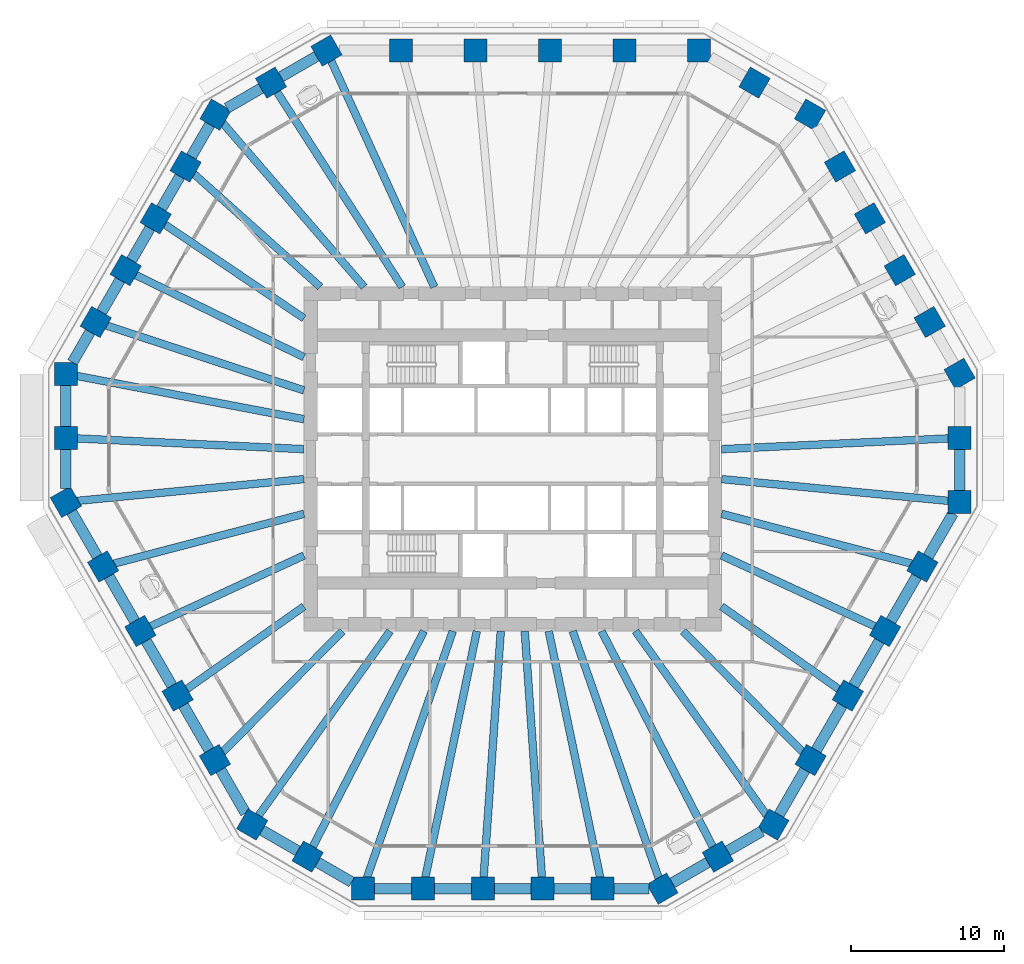
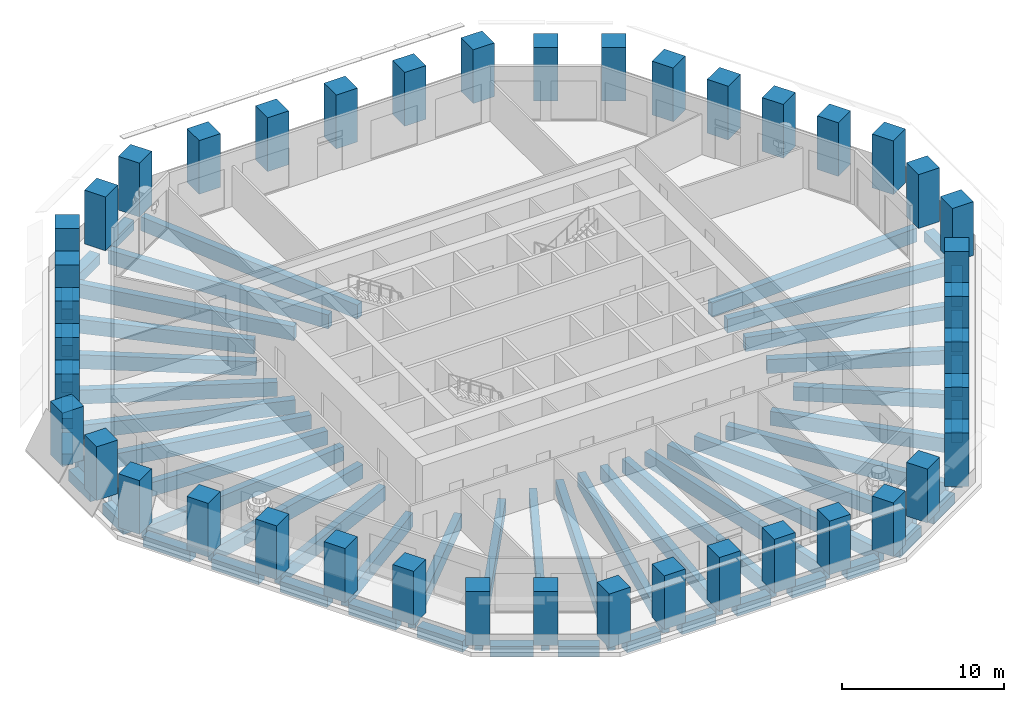
# One storey, part 1 of 12: 59 beams, 42 columns.
"""IFC4 building model written with IfcOpenShell, lengths in metres."""

from ifc_helpers import new_model, si_unit, direction, frame, origin, origin_2d, place, context, subcontext, project, spatial, rectangle, extrude, material, material_profile, profile_set, type_object, element, save


model = new_model("IFC4")

# Units and contexts
model_context = context("Model", 3, precision=1e-05, world=origin(), true_north=direction((0.0, 1.0)))
body_context = subcontext(model_context, "Body", "Model", "MODEL_VIEW")
ifc_project = project(units=[si_unit("LENGTHUNIT", "METRE"), si_unit("AREAUNIT", "SQUARE_METRE"), si_unit("VOLUMEUNIT", "CUBIC_METRE"), si_unit("PLANEANGLEUNIT", "RADIAN"), si_unit("MASSUNIT", "GRAM", prefix="KILO")], contexts=[model_context])

# Site, building, storey
site_placement = place(None, origin())
site = spatial("IfcSite", under=ifc_project, at=site_placement, CompositionType="ELEMENT")
building_placement = place(site_placement, origin())
building = spatial("IfcBuilding", under=site, at=building_placement, Name="Frailejon Research Tower", CompositionType="ELEMENT")
storey_placement = place(building_placement, frame((0.0, 0.0, 63.0)))
storey = spatial("IfcBuildingStorey", under=building, at=storey_placement, Name="L14", CompositionType="ELEMENT", Elevation=63.0)

# Columns
ifc_material_1 = material(Name="Concrete C70/85", Category="concrete")
ifc_material_profile_1 = material_profile(ifc_material_1, rectangle(XDim=1.5, YDim=1.5, at=origin_2d()), Name="Column 1500")
ifc_profile_set_1 = profile_set([ifc_material_profile_1], Name="Concrete C70/85")
column_type = type_object("IfcColumnType", Name="Column 1500", PredefinedType="COLUMN", material=ifc_profile_set_1)
for number, where, z_axis, x_axis, name in (
    (1, (29.211181640625, -2.8046875, 0.0), (0.0, 0.0, 1.0), (0.0, 1.0, 0.0), "Column C01"),
    (2, (29.211181640625, 1.3828125, 0.0), (0.0, 0.0, 1.0), (0.0, 1.0, 0.0), "Column C02"),
    (3, (29.211181640625, 5.5703125, 0.0), (0.0, 0.0, 1.0), (-0.5, 0.866025403784, 0.0), "Column C03"),
    (4, (27.2548828125, 8.958740234375, 0.0), (0.0, 0.0, 1.0), (-0.5, 0.866025403784, 0.0), "Column C04"),
    (5, (25.298583984375, 12.34716796875, 0.0), (0.0, 0.0, 1.0), (-0.5, 0.866025403784, 0.0), "Column C05"),
    (6, (23.34228515625, 15.735595703125, 0.0), (0.0, 0.0, 1.0), (-0.5, 0.866025403784, 0.0), "Column C06"),
    (7, (21.385986328125, 19.1240234375, 0.0), (0.0, 0.0, 1.0), (-0.5, 0.866025403784, 0.0), "Column C07"),
    (8, (19.4296875, 22.512451171875, 0.0), (0.0, 0.0, 1.0), (-0.866025403784, 0.5, 0.0), "Column C08"),
    (9, (15.802978515625, 24.606201171875, 0.0), (0.0, 0.0, 1.0), (-0.866025403784, 0.5, 0.0), "Column C09"),
    (10, (12.176513671875, 26.699951171875, 0.0), (0.0, 0.0, 1.0), (-1.0, 0.0, 0.0), "Column C10"),
    (11, (7.305908203125, 26.699951171875, 0.0), (0.0, 0.0, 1.0), (-1.0, 0.0, 0.0), "Column C11"),
):
    element("IfcColumn", number, at=place(storey_placement, frame(where, z_axis=z_axis, x_axis=x_axis)), inside=storey, type_object=column_type, Name=name, PredefinedType="COLUMN", context=body_context, shape_type="SweptSolid", body=[
        extrude(rectangle(XDim=1.5, YDim=1.5, at=origin_2d()), origin(), (0.0, 0.0, 1.0), 4.0400390625),
    ])
for number, where, z_axis, x_axis, name in (
    (12, (2.435302734375, 26.699951171875, 0.0), (0.0, 0.0, 1.0), (-1.0, 0.0, 0.0), "Column C12"),
    (13, (-2.435302734375, 26.699951171875, 0.0), (0.0, 0.0, 1.0), (-1.0, 0.0, 0.0), "Column C13"),
):
    element("IfcColumn", number, at=place(storey_placement, frame(where, z_axis=z_axis, x_axis=x_axis)), inside=storey, type_object=column_type, Name=name, PredefinedType="COLUMN", context=body_context, shape_type="SweptSolid", body=[
        extrude(rectangle(XDim=1.5, YDim=1.5, at=origin_2d()), origin(), (0.0, 0.0, 1.0), 4.050048828125),
    ])
for number, where, z_axis, x_axis, name in (
    (14, (-7.305908203125, 26.699951171875, 0.0), (0.0, 0.0, 1.0), (-1.0, 0.0, 0.0), "Column C14"),
    (15, (-12.176513671875, 26.699951171875, 0.0), (0.0, 0.0, 1.0), (-0.866025403784, -0.5, 0.0), "Column C15"),
    (16, (-15.802978515625, 24.606201171875, 0.0), (0.0, 0.0, 1.0), (-0.866025403784, -0.5, 0.0), "Column C16"),
    (17, (-19.4296875, 22.512451171875, 0.0), (0.0, 0.0, 1.0), (-0.5, -0.866025403784, 0.0), "Column C17"),
    (18, (-21.385986328125, 19.1240234375, 0.0), (0.0, 0.0, 1.0), (-0.5, -0.866025403784, 0.0), "Column C18"),
    (19, (-23.34228515625, 15.735595703125, 0.0), (0.0, 0.0, 1.0), (-0.5, -0.866025403784, 0.0), "Column C19"),
    (20, (-25.298583984375, 12.34716796875, 0.0), (0.0, 0.0, 1.0), (-0.5, -0.866025403784, 0.0), "Column C20"),
    (21, (-27.2548828125, 8.958740234375, 0.0), (0.0, 0.0, 1.0), (-0.5, -0.866025403784, 0.0), "Column C21"),
    (22, (-29.211181640625, 5.5703125, 0.0), (0.0, 0.0, 1.0), (0.0, -1.0, 0.0), "Column C22"),
    (23, (-29.211181640625, 1.3828125, 0.0), (0.0, 0.0, 1.0), (0.0, -1.0, 0.0), "Column C23"),
    (24, (-29.211181640625, -2.8046875, 0.0), (0.0, 0.0, 1.0), (0.5, -0.866025403784, 0.0), "Column C24"),
    (25, (-26.77587890625, -7.02294921875, 0.0), (0.0, 0.0, 1.0), (0.5, -0.866025403784, 0.0), "Column C25"),
):
    element("IfcColumn", number, at=place(storey_placement, frame(where, z_axis=z_axis, x_axis=x_axis)), inside=storey, type_object=column_type, Name=name, PredefinedType="COLUMN", context=body_context, shape_type="SweptSolid", body=[
        extrude(rectangle(XDim=1.5, YDim=1.5, at=origin_2d()), origin(), (0.0, 0.0, 1.0), 4.0400390625),
    ])
for number, where, z_axis, x_axis, name in (
    (26, (-24.340576171875, -11.240966796875, 0.0), (0.0, 0.0, 1.0), (0.5, -0.866025403784, 0.0), "Column C26"),
    (27, (-21.9052734375, -15.458984375, 0.0), (0.0, 0.0, 1.0), (0.5, -0.866025403784, 0.0), "Column C27"),
):
    element("IfcColumn", number, at=place(storey_placement, frame(where, z_axis=z_axis, x_axis=x_axis)), inside=storey, type_object=column_type, Name=name, PredefinedType="COLUMN", context=body_context, shape_type="SweptSolid", body=[
        extrude(rectangle(XDim=1.5, YDim=1.5, at=origin_2d()), origin(), (0.0, 0.0, 1.0), 4.050048828125),
    ])
for number, where, z_axis, x_axis, name in (
    (28, (-19.469970703125, -19.677001953125, 0.0), (0.0, 0.0, 1.0), (0.5, -0.866025403784, 0.0), "Column C28"),
    (29, (-17.03466796875, -23.895263671875, 0.0), (0.0, 0.0, 1.0), (0.866025403784, -0.5, 0.0), "Column C29"),
    (30, (-13.408203125, -25.989013671875, 0.0), (0.0, 0.0, 1.0), (0.866025403784, -0.5, 0.0), "Column C30"),
    (31, (-9.781494140625, -28.082763671875, 0.0), (0.0, 0.0, 1.0), (1.0, 0.0, 0.0), "Column C31"),
    (32, (-5.868896484375, -28.082763671875, 0.0), (0.0, 0.0, 1.0), (1.0, 0.0, 0.0), "Column C32"),
    (33, (-1.956298828125, -28.082763671875, 0.0), (0.0, 0.0, 1.0), (1.0, 0.0, 0.0), "Column C33"),
    (34, (1.956298828125, -28.082763671875, 0.0), (0.0, 0.0, 1.0), (1.0, 0.0, 0.0), "Column C34"),
    (35, (5.868896484375, -28.082763671875, 0.0), (0.0, 0.0, 1.0), (1.0, 0.0, 0.0), "Column C35"),
    (36, (9.781494140625, -28.082763671875, 0.0), (0.0, 0.0, 1.0), (0.866025403784, 0.5, 0.0), "Column C36"),
    (37, (13.408203125, -25.989013671875, 0.0), (0.0, 0.0, 1.0), (0.866025403784, 0.5, 0.0), "Column C37"),
    (38, (17.03466796875, -23.895263671875, 0.0), (0.0, 0.0, 1.0), (0.5, 0.866025403784, 0.0), "Column C38"),
    (39, (19.469970703125, -19.677001953125, 0.0), (0.0, 0.0, 1.0), (0.5, 0.866025403784, 0.0), "Column C39"),
):
    element("IfcColumn", number, at=place(storey_placement, frame(where, z_axis=z_axis, x_axis=x_axis)), inside=storey, type_object=column_type, Name=name, PredefinedType="COLUMN", context=body_context, shape_type="SweptSolid", body=[
        extrude(rectangle(XDim=1.5, YDim=1.5, at=origin_2d()), origin(), (0.0, 0.0, 1.0), 4.0400390625),
    ])
for number, where, z_axis, x_axis, name in (
    (40, (21.9052734375, -15.458984375, 0.0), (0.0, 0.0, 1.0), (0.5, 0.866025403784, 0.0), "Column C40"),
    (41, (24.340576171875, -11.240966796875, 0.0), (0.0, 0.0, 1.0), (0.5, 0.866025403784, 0.0), "Column C41"),
):
    element("IfcColumn", number, at=place(storey_placement, frame(where, z_axis=z_axis, x_axis=x_axis)), inside=storey, type_object=column_type, Name=name, PredefinedType="COLUMN", context=body_context, shape_type="SweptSolid", body=[
        extrude(rectangle(XDim=1.5, YDim=1.5, at=origin_2d()), origin(), (0.0, 0.0, 1.0), 4.050048828125),
    ])
column_placement = place(storey_placement, frame((26.77587890625, -7.02294921875, 0.0), z_axis=(0.0, 0.0, 1.0), x_axis=(0.5, 0.866025403784, 0.0)))
element("IfcColumn", 42, at=column_placement, inside=storey, type_object=column_type, Name="Column C42", PredefinedType="COLUMN", context=body_context, shape_type="SweptSolid", body=[
    extrude(rectangle(XDim=1.5, YDim=1.5, at=origin_2d()), origin(), (0.0, 0.0, 1.0), 4.0400390625),
])

# Beams
ifc_material_2 = material(Name="Concrete C60/75", Category="concrete")
ifc_material_profile_2 = material_profile(ifc_material_2, rectangle(XDim=0.5, YDim=1.050048828125, at=origin_2d()), Name="Girder 500x1050")
ifc_profile_set_2 = profile_set([ifc_material_profile_2], Name="Concrete C60/75")
beam_type_1 = type_object("IfcBeamType", Name="Girder 500x1050", PredefinedType="BEAM", material=ifc_profile_set_2)
beam_1_placement = place(storey_placement, frame((28.6103515625, -2.7470703125, -0.824951171875), z_axis=(-0.995421580291, 0.095581784302, 0.0), x_axis=(-0.095581784302, -0.995421580291, 0.0)))
element("IfcBeam", 43, at=beam_1_placement, inside=storey, type_object=beam_type_1, Name="Girder 500x1050", PredefinedType="BEAM", context=body_context, shape_type="SweptSolid", body=[
    extrude(rectangle(XDim=0.5, YDim=1.050048828125, at=origin_2d()), origin(), (0.0, 0.0, 1.0), 15.029296875),
])
beam_2_placement = place(storey_placement, frame((28.61083984375, 1.3544921875, -0.824951171875), z_axis=(-0.998881338401, -0.047287120801, 0.0), x_axis=(0.047287120801, -0.998881338401, 0.0)))
element("IfcBeam", 44, at=beam_2_placement, inside=storey, type_object=beam_type_1, Name="Girder 500x1050", PredefinedType="BEAM", context=body_context, shape_type="SweptSolid", body=[
    extrude(rectangle(XDim=0.5, YDim=1.050048828125, at=origin_2d()), origin(), (0.0, 0.0, 1.0), 14.977783203125),
])
beam_3_placement = place(storey_placement, frame((-11.926025390625, 26.15087890625, -0.824951171875), z_axis=(0.414930273519, -0.909853212401, 0.0), x_axis=(0.909853212401, 0.414930273519, 0.0)))
element("IfcBeam", 45, at=beam_3_placement, inside=storey, type_object=beam_type_1, Name="Girder 500x1050", PredefinedType="BEAM", context=body_context, shape_type="SweptSolid", body=[
    extrude(rectangle(XDim=0.5, YDim=1.050048828125, at=origin_2d()), origin(), (0.0, 0.0, 1.0), 16.377197265625),
])
beam_4_placement = place(storey_placement, frame((-15.478515625, 24.1005859375, -0.824951171875), z_axis=(0.540402055677, -0.841406927842, 0.0), x_axis=(0.841406927842, 0.540402055677, 0.0)))
element("IfcBeam", 46, at=beam_4_placement, inside=storey, type_object=beam_type_1, Name="Girder 500x1050", PredefinedType="BEAM", context=body_context, shape_type="SweptSolid", body=[
    extrude(rectangle(XDim=0.5, YDim=1.050048828125, at=origin_2d()), origin(), (0.0, 0.0, 1.0), 15.272705078125),
])
beam_5_placement = place(storey_placement, frame((-19.0087890625, 22.024658203125, -0.824951171875), z_axis=(0.65337554657, -0.757033945833, 0.0), x_axis=(0.757033945833, 0.65337554657, 0.0)))
element("IfcBeam", 47, at=beam_5_placement, inside=storey, type_object=beam_type_1, Name="Girder 500x1050", PredefinedType="BEAM", context=body_context, shape_type="SweptSolid", body=[
    extrude(rectangle(XDim=0.5, YDim=1.050048828125, at=origin_2d()), origin(), (0.0, 0.0, 1.0), 14.232666015625),
])
beam_6_placement = place(storey_placement, frame((-20.926513671875, 18.713134765625, -0.824951171875), z_axis=(0.745431765293, -0.666581940419, 0.0), x_axis=(0.666581940419, 0.745431765293, 0.0)))
element("IfcBeam", 48, at=beam_6_placement, inside=storey, type_object=beam_type_1, Name="Girder 500x1050", PredefinedType="BEAM", context=body_context, shape_type="SweptSolid", body=[
    extrude(rectangle(XDim=0.5, YDim=1.050048828125, at=origin_2d()), origin(), (0.0, 0.0, 1.0), 11.196044921875),
])
beam_7_placement = place(storey_placement, frame((-22.84326171875, 15.399169921875, -0.824951171875), z_axis=(0.82919365434, -0.558961433019, 0.0), x_axis=(0.558961433019, 0.82919365434, 0.0)))
element("IfcBeam", 49, at=beam_7_placement, inside=storey, type_object=beam_type_1, Name="Girder 500x1050", PredefinedType="BEAM", context=body_context, shape_type="SweptSolid", body=[
    extrude(rectangle(XDim=0.5, YDim=1.050048828125, at=origin_2d()), origin(), (0.0, 0.0, 1.0), 11.087158203125),
])
beam_8_placement = place(storey_placement, frame((-24.7578125, 12.083251953125, -0.824951171875), z_axis=(0.898683953103, -0.43859679939, 0.0), x_axis=(0.43859679939, 0.898683953103, 0.0)))
element("IfcBeam", 50, at=beam_8_placement, inside=storey, type_object=beam_type_1, Name="Girder 500x1050", PredefinedType="BEAM", context=body_context, shape_type="SweptSolid", body=[
    extrude(rectangle(XDim=0.5, YDim=1.050048828125, at=origin_2d()), origin(), (0.0, 0.0, 1.0), 12.360107421875),
])
beam_9_placement = place(storey_placement, frame((-26.66943359375, 8.766357421875, -0.824951171875), z_axis=(0.949995064088, -0.312264916712, 0.0), x_axis=(0.312264916712, 0.949995064088, 0.0)))
element("IfcBeam", 51, at=beam_9_placement, inside=storey, type_object=beam_type_1, Name="Girder 500x1050", PredefinedType="BEAM", context=body_context, shape_type="SweptSolid", body=[
    extrude(rectangle(XDim=0.5, YDim=1.050048828125, at=origin_2d()), origin(), (0.0, 0.0, 1.0), 13.704833984375),
])
beam_10_placement = place(storey_placement, frame((-28.6083984375, 5.455322265625, -0.824951171875), z_axis=(0.982298691435, -0.187321330353, 0.0), x_axis=(0.187321330353, 0.982298691435, 0.0)))
element("IfcBeam", 52, at=beam_10_placement, inside=storey, type_object=beam_type_1, Name="Girder 500x1050", PredefinedType="BEAM", context=body_context, shape_type="SweptSolid", body=[
    extrude(rectangle(XDim=0.5, YDim=1.050048828125, at=origin_2d()), origin(), (0.0, 0.0, 1.0), 15.22802734375),
])
beam_11_placement = place(storey_placement, frame((-28.61083984375, 1.3544921875, -0.824951171875), z_axis=(0.998881338401, -0.047287120801, 0.0), x_axis=(0.047287120801, 0.998881338401, 0.0)))
element("IfcBeam", 53, at=beam_11_placement, inside=storey, type_object=beam_type_1, Name="Girder 500x1050", PredefinedType="BEAM", context=body_context, shape_type="SweptSolid", body=[
    extrude(rectangle(XDim=0.5, YDim=1.050048828125, at=origin_2d()), origin(), (0.0, 0.0, 1.0), 14.977783203125),
])
beam_12_placement = place(storey_placement, frame((-28.539794921875, -2.740478515625, -0.824951171875), z_axis=(0.995420415268, 0.09559391648, 0.0), x_axis=(-0.09559391648, 0.995420415268, 0.0)))
element("IfcBeam", 54, at=beam_12_placement, inside=storey, type_object=beam_type_1, Name="Girder 500x1050", PredefinedType="BEAM", context=body_context, shape_type="SweptSolid", body=[
    extrude(rectangle(XDim=0.5, YDim=1.050048828125, at=origin_2d()), origin(), (0.0, 0.0, 1.0), 14.95849609375),
])
beam_13_placement = place(storey_placement, frame((-26.168701171875, -6.86376953125, -0.824951171875), z_axis=(0.96727825833, 0.253717896416, 0.0), x_axis=(-0.253717896416, 0.96727825833, 0.0)))
element("IfcBeam", 55, at=beam_13_placement, inside=storey, type_object=beam_type_1, Name="Girder 500x1050", PredefinedType="BEAM", context=body_context, shape_type="SweptSolid", body=[
    extrude(rectangle(XDim=0.5, YDim=1.050048828125, at=origin_2d()), origin(), (0.0, 0.0, 1.0), 12.9423828125),
])
beam_14_placement = place(storey_placement, frame((-23.79296875, -10.988037109375, -0.824951171875), z_axis=(0.907868543598, 0.419254943375, 0.0), x_axis=(-0.419254943375, 0.907868543598, 0.0)))
element("IfcBeam", 56, at=beam_14_placement, inside=storey, type_object=beam_type_1, Name="Girder 500x1050", PredefinedType="BEAM", context=body_context, shape_type="SweptSolid", body=[
    extrude(rectangle(XDim=0.5, YDim=1.050048828125, at=origin_2d()), origin(), (0.0, 0.0, 1.0), 11.17236328125),
])
beam_15_placement = place(storey_placement, frame((-21.412353515625, -15.111083984375, -0.824951171875), z_axis=(0.817034800415, 0.576588358286, 0.0), x_axis=(-0.576588358286, 0.817034800415, 0.0)))
element("IfcBeam", 57, at=beam_15_placement, inside=storey, type_object=beam_type_1, Name="Girder 500x1050", PredefinedType="BEAM", context=body_context, shape_type="SweptSolid", body=[
    extrude(rectangle(XDim=0.5, YDim=1.050048828125, at=origin_2d()), origin(), (0.0, 0.0, 1.0), 9.500732421875),
])
beam_16_placement = place(storey_placement, frame((-19.028564453125, -19.23095703125, -0.824951171875), z_axis=(0.703356786979, 0.710836992714, 0.0), x_axis=(-0.710836992714, 0.703356786979, 0.0)))
element("IfcBeam", 58, at=beam_16_placement, inside=storey, type_object=beam_type_1, Name="Girder 500x1050", PredefinedType="BEAM", context=body_context, shape_type="SweptSolid", body=[
    extrude(rectangle(XDim=0.5, YDim=1.050048828125, at=origin_2d()), origin(), (0.0, 0.0, 1.0), 11.2275390625),
])
beam_17_placement = place(storey_placement, frame((-16.684326171875, -23.40380859375, -0.824951171875), z_axis=(0.580484429188, 0.814271347568, 0.0), x_axis=(-0.814271347568, 0.580484429188, 0.0)))
element("IfcBeam", 59, at=beam_17_placement, inside=storey, type_object=beam_type_1, Name="Girder 500x1050", PredefinedType="BEAM", context=body_context, shape_type="SweptSolid", body=[
    extrude(rectangle(XDim=0.5, YDim=1.050048828125, at=origin_2d()), origin(), (0.0, 0.0, 1.0), 14.926025390625),
])
beam_18_placement = place(storey_placement, frame((-13.132568359375, -25.455078125, -0.824951171875), z_axis=(0.458492734249, 0.888698156092, 0.0), x_axis=(-0.888698156092, 0.458492734249, 0.0)))
element("IfcBeam", 60, at=beam_18_placement, inside=storey, type_object=beam_type_1, Name="Girder 500x1050", PredefinedType="BEAM", context=body_context, shape_type="SweptSolid", body=[
    extrude(rectangle(XDim=0.5, YDim=1.050048828125, at=origin_2d()), origin(), (0.0, 0.0, 1.0), 15.984130859375),
])
beam_19_placement = place(storey_placement, frame((-9.569580078125, -27.474609375, -0.824951171875), z_axis=(0.328924592456, 0.94435618941, 0.0), x_axis=(-0.94435618941, 0.328924592456, 0.0)))
element("IfcBeam", 61, at=beam_19_placement, inside=storey, type_object=beam_type_1, Name="Girder 500x1050", PredefinedType="BEAM", context=body_context, shape_type="SweptSolid", body=[
    extrude(rectangle(XDim=0.5, YDim=1.050048828125, at=origin_2d()), origin(), (0.0, 0.0, 1.0), 17.1806640625),
])
beam_20_placement = place(storey_placement, frame((-5.742919921875, -27.4794921875, -0.824951171875), z_axis=(0.204572805504, 0.978851350946, 0.0), x_axis=(-0.978851350946, 0.204572805504, 0.0)))
element("IfcBeam", 62, at=beam_20_placement, inside=storey, type_object=beam_type_1, Name="Girder 500x1050", PredefinedType="BEAM", context=body_context, shape_type="SweptSolid", body=[
    extrude(rectangle(XDim=0.5, YDim=1.050048828125, at=origin_2d()), origin(), (0.0, 0.0, 1.0), 16.580078125),
])
for number, where, z_axis, x_axis, name in (
    (63, (-1.91455078125, -27.482421875, -0.824951171875), (0.069498257756, 0.997582072899, 0.0), (-0.997582072899, 0.069498257756, 0.0), "Girder 500x1050"),
    (64, (1.91455078125, -27.482421875, -0.824951171875), (-0.069498257756, 0.997582072899, 0.0), (-0.997582072899, -0.069498257756, 0.0), "Girder 500x1050"),
):
    element("IfcBeam", number, at=place(storey_placement, frame(where, z_axis=z_axis, x_axis=x_axis)), inside=storey, type_object=beam_type_1, Name=name, PredefinedType="BEAM", context=body_context, shape_type="SweptSolid", body=[
        extrude(rectangle(XDim=0.5, YDim=1.050048828125, at=origin_2d()), origin(), (0.0, 0.0, 1.0), 16.271728515625),
    ])
beam_21_placement = place(storey_placement, frame((5.742919921875, -27.4794921875, -0.824951171875), z_axis=(-0.204572805504, 0.978851350946, 0.0), x_axis=(-0.978851350946, -0.204572805504, 0.0)))
element("IfcBeam", 65, at=beam_21_placement, inside=storey, type_object=beam_type_1, Name="Girder 500x1050", PredefinedType="BEAM", context=body_context, shape_type="SweptSolid", body=[
    extrude(rectangle(XDim=0.5, YDim=1.050048828125, at=origin_2d()), origin(), (0.0, 0.0, 1.0), 16.580078125),
])
beam_22_placement = place(storey_placement, frame((9.57958984375, -27.50341796875, -0.824951171875), z_axis=(-0.328923326582, 0.94435663032, 0.0), x_axis=(-0.94435663032, -0.328923326582, 0.0)))
element("IfcBeam", 66, at=beam_22_placement, inside=storey, type_object=beam_type_1, Name="Girder 500x1050", PredefinedType="BEAM", context=body_context, shape_type="SweptSolid", body=[
    extrude(rectangle(XDim=0.5, YDim=1.050048828125, at=origin_2d()), origin(), (0.0, 0.0, 1.0), 17.211181640625),
])
beam_23_placement = place(storey_placement, frame((13.132568359375, -25.455078125, -0.824951171875), z_axis=(-0.458492734249, 0.888698156092, 0.0), x_axis=(-0.888698156092, -0.458492734249, 0.0)))
element("IfcBeam", 67, at=beam_23_placement, inside=storey, type_object=beam_type_1, Name="Girder 500x1050", PredefinedType="BEAM", context=body_context, shape_type="SweptSolid", body=[
    extrude(rectangle(XDim=0.5, YDim=1.050048828125, at=origin_2d()), origin(), (0.0, 0.0, 1.0), 15.984130859375),
])
beam_24_placement = place(storey_placement, frame((16.643310546875, -23.34619140625, -0.824951171875), z_axis=(-0.580487061992, 0.814269470667, 0.0), x_axis=(-0.814269470667, -0.580487061992, 0.0)))
element("IfcBeam", 68, at=beam_24_placement, inside=storey, type_object=beam_type_1, Name="Girder 500x1050", PredefinedType="BEAM", context=body_context, shape_type="SweptSolid", body=[
    extrude(rectangle(XDim=0.5, YDim=1.050048828125, at=origin_2d()), origin(), (0.0, 0.0, 1.0), 14.855224609375),
])
beam_25_placement = place(storey_placement, frame((19.028564453125, -19.23095703125, -0.824951171875), z_axis=(-0.703356786979, 0.710836992714, 0.0), x_axis=(-0.710836992714, -0.703356786979, 0.0)))
element("IfcBeam", 69, at=beam_25_placement, inside=storey, type_object=beam_type_1, Name="Girder 500x1050", PredefinedType="BEAM", context=body_context, shape_type="SweptSolid", body=[
    extrude(rectangle(XDim=0.5, YDim=1.050048828125, at=origin_2d()), origin(), (0.0, 0.0, 1.0), 11.2275390625),
])
beam_26_placement = place(storey_placement, frame((21.412353515625, -15.111083984375, -0.824951171875), z_axis=(-0.817034800415, 0.576588358286, 0.0), x_axis=(-0.576588358286, -0.817034800415, 0.0)))
element("IfcBeam", 70, at=beam_26_placement, inside=storey, type_object=beam_type_1, Name="Girder 500x1050", PredefinedType="BEAM", context=body_context, shape_type="SweptSolid", body=[
    extrude(rectangle(XDim=0.5, YDim=1.050048828125, at=origin_2d()), origin(), (0.0, 0.0, 1.0), 9.500732421875),
])
beam_27_placement = place(storey_placement, frame((23.79296875, -10.988037109375, -0.824951171875), z_axis=(-0.907868543598, 0.419254943375, 0.0), x_axis=(-0.419254943375, -0.907868543598, 0.0)))
element("IfcBeam", 71, at=beam_27_placement, inside=storey, type_object=beam_type_1, Name="Girder 500x1050", PredefinedType="BEAM", context=body_context, shape_type="SweptSolid", body=[
    extrude(rectangle(XDim=0.5, YDim=1.050048828125, at=origin_2d()), origin(), (0.0, 0.0, 1.0), 11.17236328125),
])
beam_28_placement = place(storey_placement, frame((26.168701171875, -6.86376953125, -0.824951171875), z_axis=(-0.96727825833, 0.253717896416, 0.0), x_axis=(-0.253717896416, -0.96727825833, 0.0)))
element("IfcBeam", 72, at=beam_28_placement, inside=storey, type_object=beam_type_1, Name="Girder 500x1050", PredefinedType="BEAM", context=body_context, shape_type="SweptSolid", body=[
    extrude(rectangle(XDim=0.5, YDim=1.050048828125, at=origin_2d()), origin(), (0.0, 0.0, 1.0), 12.9423828125),
])
ifc_material_3 = material(Name="Concrete C60/75", Category="concrete")
ifc_material_profile_3 = material_profile(ifc_material_3, rectangle(XDim=0.699951171875, YDim=0.800048828125, at=origin_2d()), Name="Spandrel 700x800")
ifc_profile_set_3 = profile_set([ifc_material_profile_3], Name="Concrete C60/75")
beam_type_2 = type_object("IfcBeamType", Name="Spandrel 700x800", PredefinedType="BEAM", material=ifc_profile_set_3)
beam_29_placement = place(storey_placement, frame((29.211181640625, -2.0546875, -0.75), z_axis=(0.0, 1.0, 0.0), x_axis=(-1.0, 0.0, 0.0)))
element("IfcBeam", 73, at=beam_29_placement, inside=storey, type_object=beam_type_2, Name="Spandrel 700x800", PredefinedType="BEAM", context=body_context, shape_type="SweptSolid", body=[
    extrude(rectangle(XDim=0.699951171875, YDim=0.800048828125, at=origin_2d()), origin(), (0.0, 0.0, 1.0), 2.6875),
])
beam_30_placement = place(storey_placement, frame((-12.825927734375, 26.324951171875, -0.75), z_axis=(-0.866043397086, -0.499968833392, 0.0), x_axis=(0.499968833392, -0.866043397086, 0.0)))
element("IfcBeam", 74, at=beam_30_placement, inside=storey, type_object=beam_type_2, Name="Spandrel 700x800", PredefinedType="BEAM", context=body_context, shape_type="SweptSolid", body=[
    extrude(rectangle(XDim=0.699951171875, YDim=0.800048828125, at=origin_2d()), origin(), (0.0, 0.0, 1.0), 2.687744140625),
])
beam_31_placement = place(storey_placement, frame((-16.45263671875, 24.231201171875, -0.75), z_axis=(-0.866008514048, -0.50002925274, 0.0), x_axis=(0.50002925274, -0.866008514048, 0.0)))
element("IfcBeam", 75, at=beam_31_placement, inside=storey, type_object=beam_type_2, Name="Spandrel 700x800", PredefinedType="BEAM", context=body_context, shape_type="SweptSolid", body=[
    extrude(rectangle(XDim=0.699951171875, YDim=0.800048828125, at=origin_2d()), origin(), (0.0, 0.0, 1.0), 2.571533203125),
])
beam_32_placement = place(storey_placement, frame((-19.8046875, 21.86279296875, -0.75), z_axis=(-0.500002762329, -0.866023808947, 0.0), x_axis=(0.866023808947, -0.500002762329, 0.0)))
element("IfcBeam", 76, at=beam_32_placement, inside=storey, type_object=beam_type_2, Name="Spandrel 700x800", PredefinedType="BEAM", context=body_context, shape_type="SweptSolid", body=[
    extrude(rectangle(XDim=0.699951171875, YDim=0.800048828125, at=origin_2d()), origin(), (0.0, 0.0, 1.0), 2.41259765625),
])
for number, where, z_axis, x_axis, name in (
    (77, (-21.760986328125, 18.474609375, -0.75), (-0.499958946799, -0.866049104564, 0.0), (0.866049104564, -0.499958946799, 0.0), "Spandrel 700x800"),
    (78, (-23.71728515625, 15.086181640625, -0.75), (-0.499958946799, -0.866049104564, 0.0), (0.866049104564, -0.499958946799, 0.0), "Spandrel 700x800"),
    (79, (-25.673583984375, 11.69775390625, -0.75), (-0.499958946799, -0.866049104564, 0.0), (0.866049104564, -0.499958946799, 0.0), "Spandrel 700x800"),
):
    element("IfcBeam", number, at=place(storey_placement, frame(where, z_axis=z_axis, x_axis=x_axis)), inside=storey, type_object=beam_type_2, Name=name, PredefinedType="BEAM", context=body_context, shape_type="SweptSolid", body=[
        extrude(rectangle(XDim=0.699951171875, YDim=0.800048828125, at=origin_2d()), origin(), (0.0, 0.0, 1.0), 2.412841796875),
    ])
beam_33_placement = place(storey_placement, frame((-27.6298828125, 8.30908203125, -0.75), z_axis=(-0.499992401796, -0.866029790565, 0.0), x_axis=(0.866029790565, -0.499992401796, 0.0)))
element("IfcBeam", 80, at=beam_33_placement, inside=storey, type_object=beam_type_2, Name="Spandrel 700x800", PredefinedType="BEAM", context=body_context, shape_type="SweptSolid", body=[
    extrude(rectangle(XDim=0.699951171875, YDim=0.800048828125, at=origin_2d()), origin(), (0.0, 0.0, 1.0), 2.29638671875),
])
beam_34_placement = place(storey_placement, frame((-29.211181640625, 4.8203125, -0.75), z_axis=(0.0, -1.0, 0.0), x_axis=(1.0, 0.0, 0.0)))
element("IfcBeam", 81, at=beam_34_placement, inside=storey, type_object=beam_type_2, Name="Spandrel 700x800", PredefinedType="BEAM", context=body_context, shape_type="SweptSolid", body=[
    extrude(rectangle(XDim=0.699951171875, YDim=0.800048828125, at=origin_2d()), origin(), (0.0, 0.0, 1.0), 2.6875),
])
beam_35_placement = place(storey_placement, frame((-29.211181640625, 0.6328125, -0.75), z_axis=(0.0, -1.0, 0.0), x_axis=(1.0, 0.0, 0.0)))
element("IfcBeam", 82, at=beam_35_placement, inside=storey, type_object=beam_type_2, Name="Spandrel 700x800", PredefinedType="BEAM", context=body_context, shape_type="SweptSolid", body=[
    extrude(rectangle(XDim=0.699951171875, YDim=0.800048828125, at=origin_2d()), origin(), (0.0, 0.0, 1.0), 2.571533203125),
])
beam_36_placement = place(storey_placement, frame((-28.836181640625, -3.454345703125, -0.75), z_axis=(0.500010874902, -0.866019125066, 0.0), x_axis=(0.866019125066, 0.500010874902, 0.0)))
element("IfcBeam", 83, at=beam_36_placement, inside=storey, type_object=beam_type_2, Name="Spandrel 700x800", PredefinedType="BEAM", context=body_context, shape_type="SweptSolid", body=[
    extrude(rectangle(XDim=0.699951171875, YDim=0.800048828125, at=origin_2d()), origin(), (0.0, 0.0, 1.0), 3.37060546875),
])
for number, where, z_axis, x_axis, name in (
    (84, (-26.40087890625, -7.67236328125, -0.75), (0.499979511309, -0.866037232612, 0.0), (0.866037232612, 0.499979511309, 0.0), "Spandrel 700x800"),
    (85, (-23.965576171875, -11.890380859375, -0.75), (0.499979511309, -0.866037232612, 0.0), (0.866037232612, 0.499979511309, 0.0), "Spandrel 700x800"),
    (86, (-21.5302734375, -16.1083984375, -0.75), (0.499979511309, -0.866037232612, 0.0), (0.866037232612, 0.499979511309, 0.0), "Spandrel 700x800"),
):
    element("IfcBeam", number, at=place(storey_placement, frame(where, z_axis=z_axis, x_axis=x_axis)), inside=storey, type_object=beam_type_2, Name=name, PredefinedType="BEAM", context=body_context, shape_type="SweptSolid", body=[
        extrude(rectangle(XDim=0.699951171875, YDim=0.800048828125, at=origin_2d()), origin(), (0.0, 0.0, 1.0), 3.370849609375),
    ])
beam_37_placement = place(storey_placement, frame((-19.094970703125, -20.32666015625, -0.75), z_axis=(0.500027630784, -0.866009450556, 0.0), x_axis=(0.866009450556, 0.500027630784, 0.0)))
element("IfcBeam", 87, at=beam_37_placement, inside=storey, type_object=beam_type_2, Name="Spandrel 700x800", PredefinedType="BEAM", context=body_context, shape_type="SweptSolid", body=[
    extrude(rectangle(XDim=0.699951171875, YDim=0.800048828125, at=origin_2d()), origin(), (0.0, 0.0, 1.0), 3.254638671875),
])
beam_38_placement = place(storey_placement, frame((-16.385009765625, -24.270263671875, -0.75), z_axis=(0.866020687897, -0.500008168067, 0.0), x_axis=(0.500008168067, 0.866020687897, 0.0)))
element("IfcBeam", 88, at=beam_38_placement, inside=storey, type_object=beam_type_2, Name="Spandrel 700x800", PredefinedType="BEAM", context=body_context, shape_type="SweptSolid", body=[
    extrude(rectangle(XDim=0.699951171875, YDim=0.800048828125, at=origin_2d()), origin(), (0.0, 0.0, 1.0), 2.6875),
])
beam_39_placement = place(storey_placement, frame((-12.758544921875, -26.364013671875, -0.75), z_axis=(0.866008514048, -0.50002925274, 0.0), x_axis=(0.50002925274, 0.866008514048, 0.0)))
element("IfcBeam", 89, at=beam_39_placement, inside=storey, type_object=beam_type_2, Name="Spandrel 700x800", PredefinedType="BEAM", context=body_context, shape_type="SweptSolid", body=[
    extrude(rectangle(XDim=0.699951171875, YDim=0.800048828125, at=origin_2d()), origin(), (0.0, 0.0, 1.0), 2.571533203125),
])
for number, where, z_axis, x_axis, name in (
    (90, (-9.031494140625, -28.082763671875, -0.75), (1.0, 0.0, 0.0), (0.0, 1.0, 0.0), "Spandrel 700x800"),
    (91, (-5.118896484375, -28.082763671875, -0.75), (1.0, 0.0, 0.0), (0.0, 1.0, 0.0), "Spandrel 700x800"),
    (92, (-1.206298828125, -28.082763671875, -0.75), (1.0, 0.0, 0.0), (0.0, 1.0, 0.0), "Spandrel 700x800"),
    (93, (2.706298828125, -28.082763671875, -0.75), (1.0, 0.0, 0.0), (0.0, 1.0, 0.0), "Spandrel 700x800"),
):
    element("IfcBeam", number, at=place(storey_placement, frame(where, z_axis=z_axis, x_axis=x_axis)), inside=storey, type_object=beam_type_2, Name=name, PredefinedType="BEAM", context=body_context, shape_type="SweptSolid", body=[
        extrude(rectangle(XDim=0.699951171875, YDim=0.800048828125, at=origin_2d()), origin(), (0.0, 0.0, 1.0), 2.41259765625),
    ])
beam_40_placement = place(storey_placement, frame((6.618896484375, -28.082763671875, -0.75), z_axis=(1.0, 0.0, 0.0), x_axis=(0.0, 1.0, 0.0)))
element("IfcBeam", 94, at=beam_40_placement, inside=storey, type_object=beam_type_2, Name="Spandrel 700x800", PredefinedType="BEAM", context=body_context, shape_type="SweptSolid", body=[
    extrude(rectangle(XDim=0.699951171875, YDim=0.800048828125, at=origin_2d()), origin(), (0.0, 0.0, 1.0), 2.296630859375),
])
beam_41_placement = place(storey_placement, frame((10.430908203125, -27.707763671875, -0.75), z_axis=(0.866043397086, 0.499968833392, 0.0), x_axis=(-0.499968833392, 0.866043397086, 0.0)))
element("IfcBeam", 95, at=beam_41_placement, inside=storey, type_object=beam_type_2, Name="Spandrel 700x800", PredefinedType="BEAM", context=body_context, shape_type="SweptSolid", body=[
    extrude(rectangle(XDim=0.699951171875, YDim=0.800048828125, at=origin_2d()), origin(), (0.0, 0.0, 1.0), 2.687744140625),
])
beam_42_placement = place(storey_placement, frame((14.0576171875, -25.614013671875, -0.75), z_axis=(0.866008514048, 0.50002925274, 0.0), x_axis=(-0.50002925274, 0.866008514048, 0.0)))
element("IfcBeam", 96, at=beam_42_placement, inside=storey, type_object=beam_type_2, Name="Spandrel 700x800", PredefinedType="BEAM", context=body_context, shape_type="SweptSolid", body=[
    extrude(rectangle(XDim=0.699951171875, YDim=0.800048828125, at=origin_2d()), origin(), (0.0, 0.0, 1.0), 2.571533203125),
])
beam_43_placement = place(storey_placement, frame((17.40966796875, -23.24560546875, -0.75), z_axis=(0.500010874902, 0.866019125066, 0.0), x_axis=(-0.866019125066, 0.500010874902, 0.0)))
element("IfcBeam", 97, at=beam_43_placement, inside=storey, type_object=beam_type_2, Name="Spandrel 700x800", PredefinedType="BEAM", context=body_context, shape_type="SweptSolid", body=[
    extrude(rectangle(XDim=0.699951171875, YDim=0.800048828125, at=origin_2d()), origin(), (0.0, 0.0, 1.0), 3.37060546875),
])
for number, where, z_axis, x_axis, name in (
    (98, (19.844970703125, -19.027587890625, -0.75), (0.499979511309, 0.866037232612, 0.0), (-0.866037232612, 0.499979511309, 0.0), "Spandrel 700x800"),
    (99, (22.2802734375, -14.8095703125, -0.75), (0.499979511309, 0.866037232612, 0.0), (-0.866037232612, 0.499979511309, 0.0), "Spandrel 700x800"),
    (100, (24.715576171875, -10.591552734375, -0.75), (0.499979511309, 0.866037232612, 0.0), (-0.866037232612, 0.499979511309, 0.0), "Spandrel 700x800"),
):
    element("IfcBeam", number, at=place(storey_placement, frame(where, z_axis=z_axis, x_axis=x_axis)), inside=storey, type_object=beam_type_2, Name=name, PredefinedType="BEAM", context=body_context, shape_type="SweptSolid", body=[
        extrude(rectangle(XDim=0.699951171875, YDim=0.800048828125, at=origin_2d()), origin(), (0.0, 0.0, 1.0), 3.370849609375),
    ])
beam_44_placement = place(storey_placement, frame((27.15087890625, -6.373291015625, -0.75), z_axis=(0.499971370958, 0.866041932139, 0.0), x_axis=(-0.866041932139, 0.499971370958, 0.0)))
element("IfcBeam", 101, at=beam_44_placement, inside=storey, type_object=beam_type_2, Name="Spandrel 700x800", PredefinedType="BEAM", context=body_context, shape_type="SweptSolid", body=[
    extrude(rectangle(XDim=0.699951171875, YDim=0.800048828125, at=origin_2d()), origin(), (0.0, 0.0, 1.0), 3.254638671875),
])

save(model, "model.ifc")
